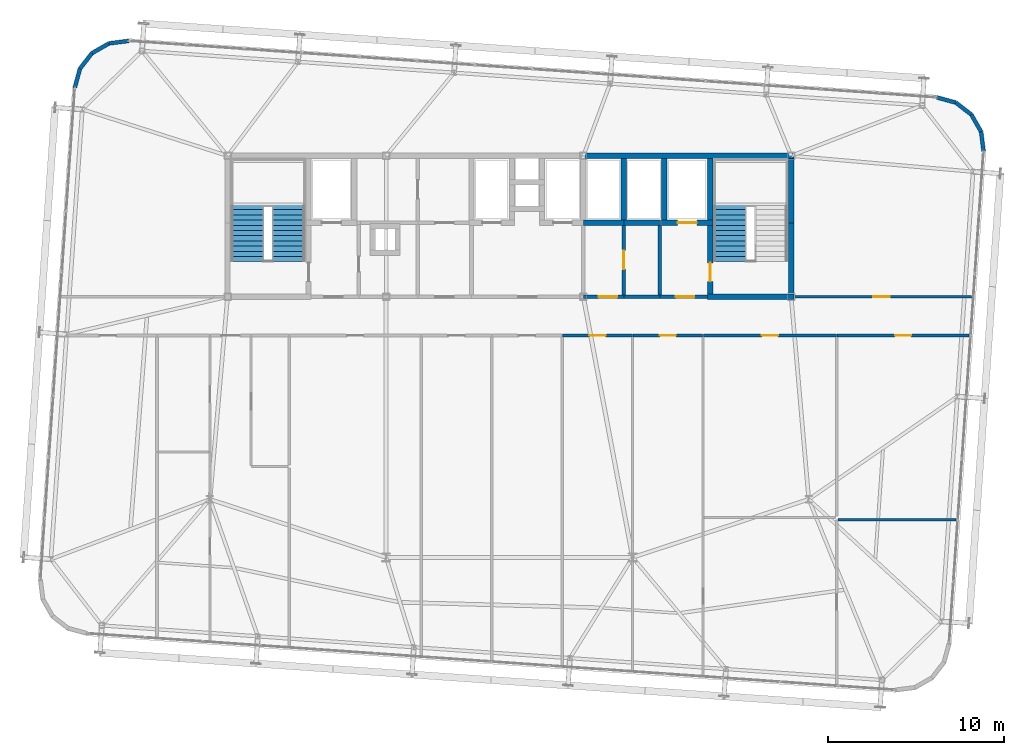
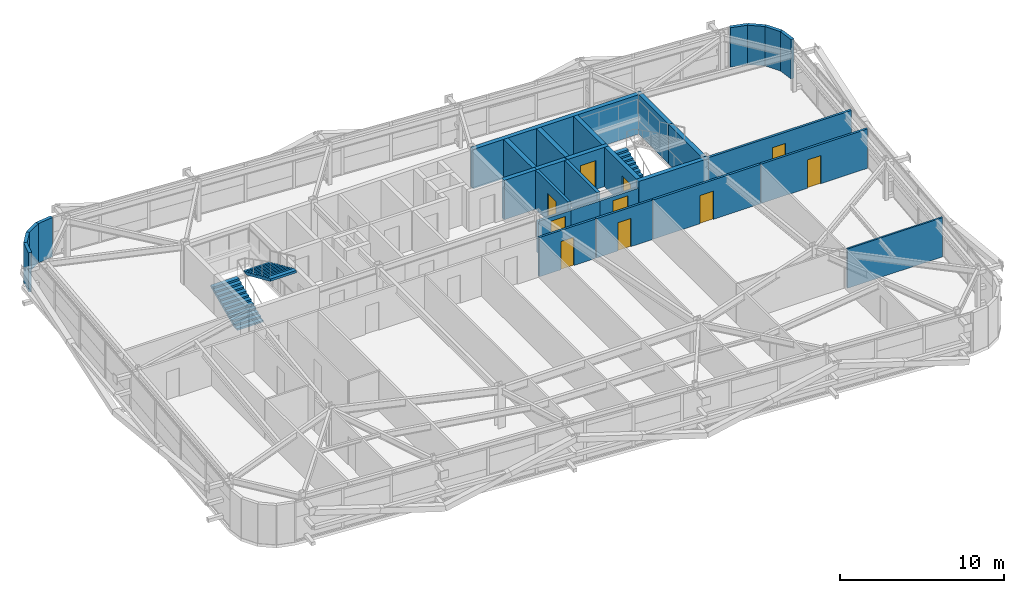
# One storey, part 43 of 47: 30 walls, 10 doors, 3 stair flights, 10 openings, 2 elements without a shape of their own.
"""IFC4 building model written with IfcOpenShell, lengths in metres."""

from ifc_helpers import new_model, si_unit, direction, frame, frame_2d, origin, place, context, subcontext, project, spatial, polyline, rectangle, outline, extrude, source, transform, mapped, material, layer, layer_set, type_object, element, fill, aggregate, save


model = new_model("IFC4")

# Units and contexts
model_context = context("Model", 3, precision=1e-05, world=origin(), true_north=direction((0.0, 1.0)))
body_context = subcontext(model_context, "Body", "Model", "MODEL_VIEW")
ifc_project = project(units=[si_unit("LENGTHUNIT", "METRE"), si_unit("AREAUNIT", "SQUARE_METRE"), si_unit("VOLUMEUNIT", "CUBIC_METRE"), si_unit("PLANEANGLEUNIT", "RADIAN"), si_unit("MASSUNIT", "GRAM", prefix="KILO")], contexts=[model_context])

# Site, building, storey
site_placement = place(None, origin())
site = spatial("IfcSite", under=ifc_project, at=site_placement, CompositionType="ELEMENT")
building_placement = place(site_placement, origin())
building = spatial("IfcBuilding", under=site, at=building_placement, Name="Taldren Reach Tower", CompositionType="ELEMENT")
storey_placement = place(building_placement, frame((0.0, 0.0, 142.449951171875)))
storey = spatial("IfcBuildingStorey", under=building, at=storey_placement, Name="L43", CompositionType="ELEMENT", Elevation=142.449951171875)

# Walls
ifc_material_1 = material(Name="Pale Champagne Anodised Aluminium Cladding", Category="aluminium")
ifc_layer_1 = layer(ifc_material_1, 0.04, Name="Pale Champagne Anodised Aluminium Cladding", Category="aluminium")
ifc_material_2 = material(Name="Mineral Wool Acoustic Insulation", Category="insulation")
ifc_layer_2 = layer(ifc_material_2, 0.06, Name="Mineral Wool Acoustic Insulation", Category="insulation")
ifc_material_3 = material(Name="Steel Gr 350 (C350L0)", Category="steel")
ifc_layer_3 = layer(ifc_material_3, 0.12, Name="Steel Gr 350 (C350L0)", Category="steel")
ifc_layer_set_1 = layer_set([ifc_layer_1, ifc_layer_2, ifc_layer_3], Name="Pale Champagne Aluminium Cladding and Steel Gr 350 Stud Framing")
wall_type_1 = type_object("IfcWallType", Name="EW-CRN-220", PredefinedType="SOLIDWALL", material=ifc_layer_set_1)
shared_shape_1 = source(origin(), body_context, "Body", "SweptSolid", [
    extrude(rectangle(XDim=1.115966796875, YDim=0.219970703125, at=frame_2d((0.55810546875, 0.0))), origin(), (0.0, 0.0, 1.0), 2.929931640625),
])
for number, where, z_axis, x_axis, name in (
    (1, (61.923583984375, 32.261962890625, 0.0), (0.0, 0.0, 1.0), (-0.126242535829, 0.991999406324, 0.0), "Rounded-corner pale-metal facade wall L43-NE1"),
    (2, (61.78271484375, 33.368896484375, 0.0), (0.0, 0.0, 1.0), (-0.496138938357, 0.868243142124, 0.0), "Rounded-corner pale-metal facade wall L43-NE2"),
    (3, (61.22900390625, 34.337890625, 0.0), (0.0, 0.0, 1.0), (-0.790716874741, 0.612182018684, 0.0), "Rounded-corner pale-metal facade wall L43-NE3"),
    (4, (60.3466796875, 35.02099609375, 0.0), (0.0, 0.0, 1.0), (-0.964804199372, 0.262969307856, 0.0), "Rounded-corner pale-metal facade wall L43-NE4"),
    (5, (13.382080078125, 38.5234375, 0.0), (0.0, 0.0, 1.0), (-0.991999406324, -0.126242535829, 0.0), "Rounded-corner pale-metal facade wall L43-NW1"),
    (6, (11.306396484375, 37.828857421875, 0.0), (0.0, 0.0, 1.0), (-0.612318787668, -0.790610967714, 0.0), "Rounded-corner pale-metal facade wall L43-NW3"),
    (7, (10.623046875, 36.946533203125, 0.0), (0.0, 0.0, 1.0), (-0.262969307856, -0.964804199372, 0.0), "Rounded-corner pale-metal facade wall L43-NW4"),
):
    element("IfcWall", number, at=place(storey_placement, frame(where, z_axis=z_axis, x_axis=x_axis)), inside=storey, type_object=wall_type_1, Name=name, PredefinedType="SOLIDWALL", context=body_context, shape_type="MappedRepresentation", body=[
        mapped(shared_shape_1, transform((0.0, 0.0, 0.0), scale=1.0)),
    ])
shared_shape_2 = source(origin(), body_context, "Body", "SweptSolid", [
    extrude(rectangle(XDim=1.11572265625, YDim=0.219970703125, at=frame_2d((0.557861328125, 0.0))), origin(), (0.0, 0.0, 1.0), 2.929931640625),
])
wall_1_placement = place(storey_placement, frame((12.275146484375, 38.382568359375, 0.0), z_axis=(0.0, 0.0, 1.0), x_axis=(-0.868189279113, -0.496233186751, 0.0)))
element("IfcWall", 8, at=wall_1_placement, inside=storey, type_object=wall_type_1, Name="Rounded-corner pale-metal facade wall L43-NW2", PredefinedType="SOLIDWALL", context=body_context, shape_type="MappedRepresentation", body=[
    mapped(shared_shape_2, transform((0.0, 0.0, 0.0), scale=1.0)),
])

# Wall, opening, door
ifc_material_4 = material(Name="Fire-Rated Acoustic Plasterboard Stud Wall", Category="gypsum")
ifc_layer_4 = layer(ifc_material_4, 0.159912109375)
ifc_layer_set_2 = layer_set([ifc_layer_4], Name="Fire-Rated Acoustic Plasterboard Stud Wall")
wall_type_2 = type_object("IfcWallType", Name="IW-FIRE-160", PredefinedType="PARTITIONING", material=ifc_layer_set_2)
shared_shape_3 = source(origin(), body_context, "Body", "SweptSolid", [
    extrude(rectangle(XDim=3.95947265625, YDim=0.159912109375, at=frame_2d((1.979736328125, 0.0))), origin(), (0.0, 0.0, 1.0), 2.929931640625),
])
wall_2_placement = place(storey_placement, frame((41.979736328125, 21.800048828125, 0.0), z_axis=(0.0, 0.0, 1.0), x_axis=(-1.0, 0.0, 0.0)))
wall_2 = element("IfcWall", 9, at=wall_2_placement, inside=storey, type_object=wall_type_2, Name="Interior Partition Wall W-INT-L43-053", PredefinedType="PARTITIONING", context=body_context, shape_type="MappedRepresentation", body=[
    mapped(shared_shape_3, transform((0.0, 0.0, 0.0), scale=1.0)),
])
shared_shape_4 = source(origin(), body_context, "Body", "SweptSolid", [
    extrude(rectangle(XDim=0.919921875, YDim=2.10009765625, at=frame_2d((0.4599609375, 1.050048828125))), frame((0.0, 0.08984375, 0.0), z_axis=(0.0, -1.0, 0.0), x_axis=(1.0, 0.0, 0.0)), (0.0, 0.0, 1.0), 0.179931640625),
])
opening_1_placement = place(wall_2_placement, frame((1.519775390625, 0.0, 0.0)))
opening_1 = element("IfcOpeningElement", 10, at=opening_1_placement, cuts=wall_2, Name="Opening DI-092", PredefinedType="OPENING", context=body_context, shape_type="MappedRepresentation", body=[
    mapped(shared_shape_4, transform((0.0, 0.0, 0.0), scale=1.0)),
])
ifc_material_5 = material(Name="Solid-Core Timber Suite Door", Category="wood")
door_type_1 = type_object("IfcDoorType", Name="ID-INT-092", OperationType="NOTDEFINED", PredefinedType="DOOR", material=ifc_material_5)
shared_shape_5 = source(origin(), body_context, "Body", "SweptSolid", [
    extrude(rectangle(XDim=0.919921875, YDim=2.10009765625, at=frame_2d((0.4599609375, 1.050048828125))), frame((0.0, 0.02490234375, 0.0), z_axis=(0.0, -1.0, 0.0), x_axis=(1.0, 0.0, 0.0)), (0.0, 0.0, 1.0), 0.050048828125),
])
door_1_placement = place(opening_1_placement, origin())
door_1 = element("IfcDoor", 11, at=door_1_placement, inside=storey, type_object=door_type_1, Name="Interior Door DR-L43-016", OperationType="SINGLE_SWING_LEFT", OverallHeight=2.10009765625, OverallWidth=0.919921875, PredefinedType="DOOR", context=body_context, shape_type="MappedRepresentation", body=[
    mapped(shared_shape_5, transform((0.0, 0.0, 0.0), scale=1.0)),
])
fill(opening_1, door_1)

wall_3_placement = place(storey_placement, frame((45.979736328125, 21.800048828125, 0.0), z_axis=(0.0, 0.0, 1.0), x_axis=(-1.0, 0.0, 0.0)))
wall_3 = element("IfcWall", 12, at=wall_3_placement, inside=storey, type_object=wall_type_2, Name="Interior Partition Wall W-INT-L43-054", PredefinedType="PARTITIONING", context=body_context, shape_type="MappedRepresentation", body=[
    mapped(shared_shape_3, transform((0.0, 0.0, 0.0), scale=1.0)),
])
opening_2_placement = place(wall_3_placement, frame((1.519775390625, 0.0, 0.0)))
opening_2 = element("IfcOpeningElement", 13, at=opening_2_placement, cuts=wall_3, Name="Opening DI-092", PredefinedType="OPENING", context=body_context, shape_type="MappedRepresentation", body=[
    mapped(shared_shape_4, transform((0.0, 0.0, 0.0), scale=1.0)),
])
door_2_placement = place(opening_2_placement, origin())
door_2 = element("IfcDoor", 14, at=door_2_placement, inside=storey, type_object=door_type_1, Name="Interior Door DR-L43-017", OperationType="SINGLE_SWING_RIGHT", OverallHeight=2.10009765625, OverallWidth=0.919921875, PredefinedType="DOOR", context=body_context, shape_type="MappedRepresentation", body=[
    mapped(shared_shape_5, transform((0.0, 0.0, 0.0), scale=1.0)),
])
fill(opening_2, door_2)

ifc_material_6 = material(Name="Concrete S50 (50 MPa)", Category="concrete")
ifc_layer_5 = layer(ifc_material_6, 0.199951171875)
ifc_layer_set_3 = layer_set([ifc_layer_5], Name="Concrete S50 (50 MPa)")
wall_type_3 = type_object("IfcWallType", Name="IW-CORE-200", PredefinedType="SOLIDWALL", material=ifc_layer_set_3)
shared_shape_6 = source(origin(), body_context, "Body", "SweptSolid", [
    extrude(rectangle(XDim=2.300048828125, YDim=0.199951171875, at=frame_2d((1.14990234375, 0.0))), origin(), (0.0, 0.0, 1.0), 2.39697265625),
])
wall_4_placement = place(storey_placement, frame((41.5, 24.0, 0.0), z_axis=(0.0, 0.0, 1.0), x_axis=(-1.0, 0.0, 0.0)))
wall_4 = element("IfcWall", 15, at=wall_4_placement, inside=storey, type_object=wall_type_3, Name="Rear Core Shear Wall W-INT-L43-044", PredefinedType="SOLIDWALL", context=body_context, shape_type="MappedRepresentation", body=[
    mapped(shared_shape_6, transform((0.0, 0.0, 0.0), scale=1.0)),
])
shared_shape_7 = source(origin(), body_context, "Body", "SweptSolid", [
    extrude(rectangle(XDim=1.050048828125, YDim=2.10009765625, at=frame_2d((0.52490234375, 1.050048828125))), frame((0.0, 0.10986328125, 0.0), z_axis=(0.0, -1.0, 0.0), x_axis=(1.0, 0.0, 0.0)), (0.0, 0.0, 1.0), 0.219970703125),
])
opening_3_placement = place(wall_4_placement, frame((0.375, 0.0, 0.0)))
opening_3 = element("IfcOpeningElement", 16, at=opening_3_placement, cuts=wall_4, Name="Opening DF-105", PredefinedType="OPENING", context=body_context, shape_type="MappedRepresentation", body=[
    mapped(shared_shape_7, transform((0.0, 0.0, 0.0), scale=1.0)),
])
ifc_material_7 = material(Name="Fire-Rated Care and Stair Exit Door")
door_type_2 = type_object("IfcDoorType", Name="ID-FIRE-105", OperationType="NOTDEFINED", PredefinedType="DOOR", material=ifc_material_7)
shared_shape_8 = source(origin(), body_context, "Body", "SweptSolid", [
    extrude(rectangle(XDim=1.050048828125, YDim=2.10009765625, at=frame_2d((0.52490234375, 1.050048828125))), frame((0.0, 0.02490234375, 0.0), z_axis=(0.0, -1.0, 0.0), x_axis=(1.0, 0.0, 0.0)), (0.0, 0.0, 1.0), 0.050048828125),
])
door_3_placement = place(opening_3_placement, frame((1.050048828125, 0.0, 0.0), z_axis=(0.0, 0.0, 1.0), x_axis=(-1.0, 0.0, 0.0)))
door_3 = element("IfcDoor", 17, at=door_3_placement, inside=storey, type_object=door_type_2, Name="Interior Door DR-L43-010", OperationType="SINGLE_SWING_RIGHT", OverallHeight=2.10009765625, OverallWidth=1.050048828125, PredefinedType="DOOR", context=body_context, shape_type="MappedRepresentation", body=[
    mapped(shared_shape_8, transform((0.0, 0.0, 0.0), scale=1.0)),
])
fill(opening_3, door_3)

# Walls
shared_shape_9 = source(origin(), body_context, "Body", "SweptSolid", [
    extrude(rectangle(XDim=2.050048828125, YDim=0.199951171875, at=frame_2d((1.02490234375, 0.0))), origin(), (0.0, 0.0, 1.0), 2.39697265625),
])
wall_5_placement = place(storey_placement, frame((43.550048828125, 24.0, 0.0), z_axis=(0.0, 0.0, 1.0), x_axis=(-1.0, 0.0, 0.0)))
element("IfcWall", 18, at=wall_5_placement, inside=storey, type_object=wall_type_3, Name="Rear Core Shear Wall W-INT-L43-045", PredefinedType="SOLIDWALL", context=body_context, shape_type="MappedRepresentation", body=[
    mapped(shared_shape_9, transform((0.0, 0.0, 0.0), scale=1.0)),
])
ifc_material_8 = material(Name="Concrete S65 (65 MPa)", Category="concrete")
ifc_layer_6 = layer(ifc_material_8, 0.300048828125)
ifc_layer_set_4 = layer_set([ifc_layer_6], Name="Concrete S65 (65 MPa)")
wall_type_4 = type_object("IfcWallType", Name="IW-CORE-300", PredefinedType="SHEAR", material=ifc_layer_set_4)
shared_shape_10 = source(origin(), body_context, "Body", "SweptSolid", [
    extrude(rectangle(XDim=11.949951171875, YDim=0.300048828125, at=frame_2d((5.97509765625, 0.0))), origin(), (0.0, 0.0, 1.0), 2.929931640625),
])
wall_6_placement = place(storey_placement, frame((39.199951171875, 32.0, 0.0), z_axis=(0.0, 0.0, 1.0), x_axis=(1.0, 0.0, 0.0)))
element("IfcWall", 19, at=wall_6_placement, inside=storey, type_object=wall_type_4, Name="Rear Core Shear Wall W-CORE-L43-NORTH3", PredefinedType="SHEAR", context=body_context, shape_type="MappedRepresentation", body=[
    mapped(shared_shape_10, transform((0.0, 0.0, 0.0), scale=1.0)),
])
shared_shape_11 = source(origin(), body_context, "Body", "SweptSolid", [
    extrude(rectangle(XDim=4.050048828125, YDim=0.300048828125, at=frame_2d((2.02490234375, 0.0))), origin(), (0.0, 0.0, 1.0), 2.929931640625),
])
wall_7_placement = place(storey_placement, frame((51.0, 24.14990234375, 0.0), z_axis=(0.0, 0.0, 1.0), x_axis=(0.0, 1.0, 0.0)))
element("IfcWall", 20, at=wall_7_placement, inside=storey, type_object=wall_type_4, Name="Rear Core Shear Wall W-CORE-L43-EAST1", PredefinedType="SHEAR", context=body_context, shape_type="MappedRepresentation", body=[
    mapped(shared_shape_11, transform((0.0, 0.0, 0.0), scale=1.0)),
])
shared_shape_12 = source(origin(), body_context, "Body", "SweptSolid", [
    extrude(rectangle(XDim=3.650146484375, YDim=0.300048828125, at=frame_2d((1.8251953125, 0.0))), origin(), (0.0, 0.0, 1.0), 2.929931640625),
])
wall_8_placement = place(storey_placement, frame((51.0, 28.199951171875, 0.0), z_axis=(0.0, 0.0, 1.0), x_axis=(0.0, 1.0, 0.0)))
element("IfcWall", 21, at=wall_8_placement, inside=storey, type_object=wall_type_4, Name="Rear Core Shear Wall W-CORE-L43-EAST2", PredefinedType="SHEAR", context=body_context, shape_type="MappedRepresentation", body=[
    mapped(shared_shape_12, transform((0.0, 0.0, 0.0), scale=1.0)),
])
shared_shape_13 = source(origin(), body_context, "Body", "SweptSolid", [
    extrude(rectangle(XDim=3.5, YDim=0.300048828125, at=frame_2d((1.75, 0.0))), origin(), (0.0, 0.0, 1.0), 2.929931640625),
])
for number, where, z_axis, x_axis, name in (
    (22, (46.39990234375, 31.85009765625, 0.0), (0.0, 0.0, 1.0), (0.0, -1.0, 0.0), "Rear Core Shear Wall W-INT-L43-008"),
    (23, (43.800048828125, 31.85009765625, 0.0), (0.0, 0.0, 1.0), (0.0, -1.0, 0.0), "Rear Core Shear Wall W-INT-L43-012"),
    (24, (41.5, 28.35009765625, 0.0), (0.0, 0.0, 1.0), (0.0, 1.0, 0.0), "Rear Core Shear Wall W-INT-L43-034"),
):
    element("IfcWall", number, at=place(storey_placement, frame(where, z_axis=z_axis, x_axis=x_axis)), inside=storey, type_object=wall_type_4, Name=name, PredefinedType="SHEAR", context=body_context, shape_type="MappedRepresentation", body=[
        mapped(shared_shape_13, transform((0.0, 0.0, 0.0), scale=1.0)),
    ])

# Wall, opening, door
shared_shape_14 = source(origin(), body_context, "Body", "SweptSolid", [
    extrude(rectangle(XDim=3.900146484375, YDim=0.300048828125, at=frame_2d((1.9501953125, 0.0))), origin(), (0.0, 0.0, 1.0), 2.929931640625),
])
wall_9_placement = place(storey_placement, frame((46.39990234375, 28.050048828125, 0.0), z_axis=(0.0, 0.0, 1.0), x_axis=(0.0, -1.0, 0.0)))
wall_9 = element("IfcWall", 25, at=wall_9_placement, inside=storey, type_object=wall_type_4, Name="Rear Core Shear Wall W-INT-L43-009", PredefinedType="SHEAR", context=body_context, shape_type="MappedRepresentation", body=[
    mapped(shared_shape_14, transform((0.0, 0.0, 0.0), scale=1.0)),
])
shared_shape_15 = source(origin(), body_context, "Body", "SweptSolid", [
    extrude(rectangle(XDim=1.050048828125, YDim=2.10009765625, at=frame_2d((0.52490234375, 1.050048828125))), frame((0.0, 0.16015625, 0.0), z_axis=(0.0, -1.0, 0.0), x_axis=(1.0, 0.0, 0.0)), (0.0, 0.0, 1.0), 0.320068359375),
])
opening_4_placement = place(wall_9_placement, frame((2.125, 0.0, 0.0)))
opening_4 = element("IfcOpeningElement", 26, at=opening_4_placement, cuts=wall_9, Name="Opening DF-105", PredefinedType="OPENING", context=body_context, shape_type="MappedRepresentation", body=[
    mapped(shared_shape_15, transform((0.0, 0.0, 0.0), scale=1.0)),
])
door_4_placement = place(opening_4_placement, origin())
door_4 = element("IfcDoor", 27, at=door_4_placement, inside=storey, type_object=door_type_2, Name="Fire Exit Stair Door DR-L43-003", OperationType="SINGLE_SWING_RIGHT", OverallHeight=2.10009765625, OverallWidth=1.050048828125, PredefinedType="DOOR", context=body_context, shape_type="MappedRepresentation", body=[
    mapped(shared_shape_8, transform((0.0, 0.0, 0.0), scale=1.0)),
])
fill(opening_4, door_4)

# Wall
shared_shape_16 = source(origin(), body_context, "Body", "SweptSolid", [
    extrude(rectangle(XDim=4.89990234375, YDim=0.300048828125, at=frame_2d((2.449951171875, 0.0))), origin(), (0.0, 0.0, 1.0), 2.929931640625),
])
wall_10_placement = place(storey_placement, frame((46.25, 24.0, 0.0), z_axis=(0.0, 0.0, 1.0), x_axis=(1.0, 0.0, 0.0)))
element("IfcWall", 28, at=wall_10_placement, inside=storey, type_object=wall_type_4, Name="Rear Core Shear Wall W-INT-L43-010", PredefinedType="SHEAR", context=body_context, shape_type="MappedRepresentation", body=[
    mapped(shared_shape_16, transform((0.0, 0.0, 0.0), scale=1.0)),
])

# Wall, opening, door
shared_shape_17 = source(origin(), body_context, "Body", "SweptSolid", [
    extrude(rectangle(XDim=2.900146484375, YDim=0.300048828125, at=frame_2d((1.4501953125, 0.0))), origin(), (0.0, 0.0, 1.0), 2.929931640625),
])
wall_11_placement = place(storey_placement, frame((43.64990234375, 28.199951171875, 0.0), z_axis=(0.0, 0.0, 1.0), x_axis=(1.0, 0.0, 0.0)))
wall_11 = element("IfcWall", 29, at=wall_11_placement, inside=storey, type_object=wall_type_4, Name="Rear Core Shear Wall W-INT-L43-011", PredefinedType="SHEAR", context=body_context, shape_type="MappedRepresentation", body=[
    mapped(shared_shape_17, transform((0.0, 0.0, 0.0), scale=1.0)),
])
shared_shape_18 = source(origin(), body_context, "Body", "SweptSolid", [
    extrude(rectangle(XDim=1.10009765625, YDim=2.14990234375, at=frame_2d((0.550048828125, 1.074951171875))), frame((0.0, 0.16015625, 0.0), z_axis=(0.0, -1.0, 0.0), x_axis=(1.0, 0.0, 0.0)), (0.0, 0.0, 1.0), 0.320068359375),
])
opening_5_placement = place(wall_11_placement, frame((0.89990234375, 0.0, 0.0)))
opening_5 = element("IfcOpeningElement", 30, at=opening_5_placement, cuts=wall_11, Name="Opening LD-FL2", PredefinedType="OPENING", context=body_context, shape_type="MappedRepresentation", body=[
    mapped(shared_shape_18, transform((0.0, 0.0, 0.0), scale=1.0)),
])
ifc_material_9 = material(Name="Stainless Steel Gr 316 Emergency Lift Landing Door", Category="steel")
door_type_3 = type_object("IfcDoorType", Name="LD-EMG-110", OperationType="SLIDING_TO_LEFT", PredefinedType="DOOR", material=ifc_material_9)
shared_shape_19 = source(origin(), body_context, "Body", "SweptSolid", [
    extrude(rectangle(XDim=1.10009765625, YDim=2.14990234375, at=frame_2d((0.550048828125, 1.074951171875))), frame((0.0, 0.02490234375, 0.0), z_axis=(0.0, -1.0, 0.0), x_axis=(1.0, 0.0, 0.0)), (0.0, 0.0, 1.0), 0.050048828125),
])
door_5_placement = place(opening_5_placement, origin())
door_5 = element("IfcDoor", 31, at=door_5_placement, inside=storey, type_object=door_type_3, Name="Lift Landing Door LD-FL2-L43", OperationType="SLIDING_TO_LEFT", OverallHeight=2.14990234375, OverallWidth=1.10009765625, PredefinedType="DOOR", context=body_context, shape_type="MappedRepresentation", body=[
    mapped(shared_shape_19, transform((0.0, 0.0, 0.0), scale=1.0)),
])
fill(opening_5, door_5)

# Wall
shared_shape_20 = source(origin(), body_context, "Body", "SweptSolid", [
    extrude(rectangle(XDim=3.949951171875, YDim=0.199951171875, at=frame_2d((1.97509765625, 0.0))), origin(), (0.0, 0.0, 1.0), 2.929931640625),
])
wall_12_placement = place(storey_placement, frame((43.550048828125, 28.050048828125, 0.0), z_axis=(0.0, 0.0, 1.0), x_axis=(0.0, -1.0, 0.0)))
element("IfcWall", 32, at=wall_12_placement, inside=storey, type_object=wall_type_3, Name="Rear Core Shear Wall W-INT-L43-013", PredefinedType="SOLIDWALL", context=body_context, shape_type="MappedRepresentation", body=[
    mapped(shared_shape_20, transform((0.0, 0.0, 0.0), scale=1.0)),
])

# Wall, opening, door
wall_13_placement = place(storey_placement, frame((41.5, 28.050048828125, 0.0), z_axis=(0.0, 0.0, 1.0), x_axis=(0.0, -1.0, 0.0)))
wall_13 = element("IfcWall", 33, at=wall_13_placement, inside=storey, type_object=wall_type_3, Name="Rear Core Shear Wall W-INT-L43-043", PredefinedType="SOLIDWALL", context=body_context, shape_type="MappedRepresentation", body=[
    mapped(shared_shape_20, transform((0.0, 0.0, 0.0), scale=1.0)),
])
opening_6_placement = place(wall_13_placement, frame((1.425048828125, 0.0, 0.0)))
opening_6 = element("IfcOpeningElement", 34, at=opening_6_placement, cuts=wall_13, Name="Opening DF-105", PredefinedType="OPENING", context=body_context, shape_type="MappedRepresentation", body=[
    mapped(shared_shape_7, transform((0.0, 0.0, 0.0), scale=1.0)),
])
door_6_placement = place(opening_6_placement, frame((1.050048828125, 0.0, 0.0), z_axis=(0.0, 0.0, 1.0), x_axis=(-1.0, 0.0, 0.0)))
door_6 = element("IfcDoor", 35, at=door_6_placement, inside=storey, type_object=door_type_2, Name="Interior Door DR-L43-009", OperationType="SINGLE_SWING_LEFT", OverallHeight=2.10009765625, OverallWidth=1.050048828125, PredefinedType="DOOR", context=body_context, shape_type="MappedRepresentation", body=[
    mapped(shared_shape_8, transform((0.0, 0.0, 0.0), scale=1.0)),
])
fill(opening_6, door_6)

shared_shape_21 = source(origin(), body_context, "Body", "SweptSolid", [
    extrude(rectangle(XDim=2.699951171875, YDim=0.199951171875, at=frame_2d((1.35009765625, 0.0))), origin(), (0.0, 0.0, 1.0), 2.39697265625),
])
wall_14_placement = place(storey_placement, frame((43.550048828125, 24.0, 0.0), z_axis=(0.0, 0.0, 1.0), x_axis=(1.0, 0.0, 0.0)))
wall_14 = element("IfcWall", 36, at=wall_14_placement, inside=storey, type_object=wall_type_3, Name="Rear Core Shear Wall W-INT-L43-014", PredefinedType="SOLIDWALL", context=body_context, shape_type="MappedRepresentation", body=[
    mapped(shared_shape_21, transform((0.0, 0.0, 0.0), scale=1.0)),
])
opening_7_placement = place(wall_14_placement, frame((0.89990234375, 0.0, 0.0)))
opening_7 = element("IfcOpeningElement", 37, at=opening_7_placement, cuts=wall_14, Name="Opening DF-105", PredefinedType="OPENING", context=body_context, shape_type="MappedRepresentation", body=[
    mapped(shared_shape_7, transform((0.0, 0.0, 0.0), scale=1.0)),
])
door_7_placement = place(opening_7_placement, origin())
door_7 = element("IfcDoor", 38, at=door_7_placement, inside=storey, type_object=door_type_2, Name="Interior Door DR-L43-004", OperationType="SINGLE_SWING_LEFT", OverallHeight=2.10009765625, OverallWidth=1.050048828125, PredefinedType="DOOR", context=body_context, shape_type="MappedRepresentation", body=[
    mapped(shared_shape_8, transform((0.0, 0.0, 0.0), scale=1.0)),
])
fill(opening_7, door_7)

# Walls
shared_shape_22 = source(origin(), body_context, "Body", "SweptSolid", [
    extrude(rectangle(XDim=2.070068359375, YDim=0.300048828125, at=frame_2d((1.03515625, 0.0))), origin(), (0.0, 0.0, 1.0), 2.929931640625),
])
wall_15_placement = place(storey_placement, frame((41.5, 28.199951171875, 0.0), z_axis=(0.0, 0.0, 1.0), x_axis=(1.0, 0.0, 0.0)))
element("IfcWall", 39, at=wall_15_placement, inside=storey, type_object=wall_type_4, Name="Rear Core Shear Wall W-INT-L43-036", PredefinedType="SHEAR", context=body_context, shape_type="MappedRepresentation", body=[
    mapped(shared_shape_22, transform((0.0, 0.0, 0.0), scale=1.0)),
])
shared_shape_23 = source(origin(), body_context, "Body", "SweptSolid", [
    extrude(rectangle(XDim=2.300048828125, YDim=0.300048828125, at=frame_2d((1.14990234375, 0.0))), origin(), (0.0, 0.0, 1.0), 2.929931640625),
])
wall_16_placement = place(storey_placement, frame((39.199951171875, 28.199951171875, 0.0), z_axis=(0.0, 0.0, 1.0), x_axis=(1.0, 0.0, 0.0)))
element("IfcWall", 40, at=wall_16_placement, inside=storey, type_object=wall_type_4, Name="Rear Core Shear Wall W-INT-L43-035", PredefinedType="SHEAR", context=body_context, shape_type="MappedRepresentation", body=[
    mapped(shared_shape_23, transform((0.0, 0.0, 0.0), scale=1.0)),
])

# Wall, opening, door
shared_shape_24 = source(origin(), body_context, "Body", "SweptSolid", [
    extrude(rectangle(XDim=10.10009765625, YDim=0.159912109375, at=frame_2d((5.050048828125, 0.0))), origin(), (0.0, 0.0, 1.0), 2.929931640625),
])
wall_17_placement = place(storey_placement, frame((51.14990234375, 24.0, 0.0), z_axis=(0.0, 0.0, 1.0), x_axis=(1.0, 0.0, 0.0)))
wall_17 = element("IfcWall", 41, at=wall_17_placement, inside=storey, type_object=wall_type_2, Name="Interior Partition Wall W-INT-L43-057", PredefinedType="PARTITIONING", context=body_context, shape_type="MappedRepresentation", body=[
    mapped(shared_shape_24, transform((0.0, 0.0, 0.0), scale=1.0)),
])
opening_8_placement = place(wall_17_placement, frame((4.525146484375, 0.0, 0.0)))
opening_8 = element("IfcOpeningElement", 42, at=opening_8_placement, cuts=wall_17, Name="Opening DI-092", PredefinedType="OPENING", context=body_context, shape_type="MappedRepresentation", body=[
    mapped(shared_shape_4, transform((0.0, 0.0, 0.0), scale=1.0)),
])
door_8_placement = place(opening_8_placement, origin())
door_8 = element("IfcDoor", 43, at=door_8_placement, inside=storey, type_object=door_type_1, Name="Interior Door DR-L43-020", OperationType="SINGLE_SWING_LEFT", OverallHeight=2.10009765625, OverallWidth=0.919921875, PredefinedType="DOOR", context=body_context, shape_type="MappedRepresentation", body=[
    mapped(shared_shape_5, transform((0.0, 0.0, 0.0), scale=1.0)),
])
fill(opening_8, door_8)

shared_shape_25 = source(origin(), body_context, "Body", "SweptSolid", [
    extrude(rectangle(XDim=7.546630859375, YDim=0.159912109375, at=frame_2d((3.7734375, 0.0))), origin(), (0.0, 0.0, 1.0), 2.929931640625),
])
wall_18_placement = place(storey_placement, frame((53.5673828125, 21.800048828125, 0.0), z_axis=(0.0, 0.0, 1.0), x_axis=(-1.0, 0.0, 0.0)))
wall_18 = element("IfcWall", 44, at=wall_18_placement, inside=storey, type_object=wall_type_2, Name="Interior Partition Wall W-INT-L43-055", PredefinedType="PARTITIONING", context=body_context, shape_type="MappedRepresentation", body=[
    mapped(shared_shape_25, transform((0.0, 0.0, 0.0), scale=1.0)),
])
opening_9_placement = place(wall_18_placement, frame((3.3134765625, 0.0, 0.0)))
opening_9 = element("IfcOpeningElement", 45, at=opening_9_placement, cuts=wall_18, Name="Opening DI-092", PredefinedType="OPENING", context=body_context, shape_type="MappedRepresentation", body=[
    mapped(shared_shape_4, transform((0.0, 0.0, 0.0), scale=1.0)),
])
door_9_placement = place(opening_9_placement, origin())
door_9 = element("IfcDoor", 46, at=door_9_placement, inside=storey, type_object=door_type_1, Name="Interior Door DR-L43-018", OperationType="SINGLE_SWING_LEFT", OverallHeight=2.10009765625, OverallWidth=0.919921875, PredefinedType="DOOR", context=body_context, shape_type="MappedRepresentation", body=[
    mapped(shared_shape_5, transform((0.0, 0.0, 0.0), scale=1.0)),
])
fill(opening_9, door_9)

shared_shape_26 = source(origin(), body_context, "Body", "SweptSolid", [
    extrude(rectangle(XDim=7.498779296875, YDim=0.159912109375, at=frame_2d((3.74951171875, 0.0))), origin(), (0.0, 0.0, 1.0), 2.929931640625),
])
wall_19_placement = place(storey_placement, frame((61.107421875, 21.800048828125, 0.0), z_axis=(0.0, 0.0, 1.0), x_axis=(-1.0, 0.0, 0.0)))
wall_19 = element("IfcWall", 47, at=wall_19_placement, inside=storey, type_object=wall_type_2, Name="Interior Partition Wall W-INT-L43-056", PredefinedType="PARTITIONING", context=body_context, shape_type="MappedRepresentation", body=[
    mapped(shared_shape_26, transform((0.0, 0.0, 0.0), scale=1.0)),
])
opening_10_placement = place(wall_19_placement, frame((3.289306640625, 0.0, 0.0)))
opening_10 = element("IfcOpeningElement", 48, at=opening_10_placement, cuts=wall_19, Name="Opening DI-092", PredefinedType="OPENING", context=body_context, shape_type="MappedRepresentation", body=[
    mapped(shared_shape_4, transform((0.0, 0.0, 0.0), scale=1.0)),
])
door_10_placement = place(opening_10_placement, origin())
door_10 = element("IfcDoor", 49, at=door_10_placement, inside=storey, type_object=door_type_1, Name="Interior Door DR-L43-019", OperationType="SINGLE_SWING_RIGHT", OverallHeight=2.10009765625, OverallWidth=0.919921875, PredefinedType="DOOR", context=body_context, shape_type="MappedRepresentation", body=[
    mapped(shared_shape_5, transform((0.0, 0.0, 0.0), scale=1.0)),
])
fill(opening_10, door_10)

# Wall
ifc_material_10 = material(Name="Insulated Residential Stud Partition", Category="gypsum")
ifc_layer_7 = layer(ifc_material_10, 0.1201171875)
ifc_layer_set_5 = layer_set([ifc_layer_7], Name="Insulated Residential Stud Partition")
wall_type_5 = type_object("IfcWallType", Name="IW-PART-120", PredefinedType="PARTITIONING", material=ifc_layer_set_5)
shared_shape_27 = source(origin(), body_context, "Body", "SweptSolid", [
    extrude(rectangle(XDim=6.69677734375, YDim=0.1201171875, at=frame_2d((3.348388671875, 0.0))), origin(), (0.0, 0.0, 1.0), 2.929931640625),
])
wall_20_placement = place(storey_placement, frame((53.668212890625, 11.341796875, 0.0), z_axis=(0.0, 0.0, 1.0), x_axis=(1.0, 0.0, 0.0)))
element("IfcWall", 50, at=wall_20_placement, inside=storey, type_object=wall_type_5, Name="Interior Partition Wall W-INT-L43-077", PredefinedType="PARTITIONING", context=body_context, shape_type="MappedRepresentation", body=[
    mapped(shared_shape_27, transform((0.0, 0.0, 0.0), scale=1.0)),
])

# Stair, stair flights
stair_type = type_object("IfcStairType", Name="ST-HT-315", PredefinedType="HALF_TURN_STAIR", material=ifc_material_6)
stair_1_placement = place(storey_placement, origin())
stair_1 = element("IfcStair", 51, at=stair_1_placement, inside=storey, type_object=stair_type, Name="Fire-isolated exit stair ST1 L43", PredefinedType="HALF_TURN_STAIR")
stair_flight_type = type_object("IfcStairFlightType", Name="SF-STR-315", PredefinedType="STRAIGHT", material=ifc_material_6)
stair_flight_1_placement = place(storey_placement, frame((20.139892578125, 25.989990234375, 0.0), z_axis=(0.0, 0.0, 1.0), x_axis=(0.0, 1.0, 0.0)))
stair_flight_1 = element("IfcStairFlight", 52, at=stair_flight_1_placement, type_object=stair_flight_type, Name="ST1 flight 1", NumberOfRisers=12, NumberOfTreads=11, PredefinedType="STRAIGHT", RiserHeight=0.13125, TreadLength=0.295, context=body_context, shape_type="SweptSolid", body=[
    extrude(outline(polyline([(0.0, 0.0), (0.0, 0.13134765625), (0.294921875, 0.13134765625), (0.294921875, 0.262451171875), (0.590087890625, 0.262451171875), (0.590087890625, 0.393798828125), (0.885009765625, 0.393798828125), (0.885009765625, 0.52490234375), (1.179931640625, 0.52490234375), (1.179931640625, 0.65625), (1.47509765625, 0.65625), (1.47509765625, 0.78759765625), (1.77001953125, 0.78759765625), (1.77001953125, 0.918701171875), (2.06494140625, 0.918701171875), (2.06494140625, 1.050048828125), (2.360107421875, 1.050048828125), (2.360107421875, 1.18115234375), (2.655029296875, 1.18115234375), (2.655029296875, 1.3125), (2.949951171875, 1.3125), (2.949951171875, 1.44384765625), (3.2451171875, 1.44384765625), (3.2451171875, 1.574951171875), (3.2451171875, 1.268798828125), (0.393310546875, 0.0), (0.0, 0.0)])), frame((0.0, 0.919921875, 0.0), z_axis=(0.0, -1.0, 0.0), x_axis=(1.0, 0.0, 0.0)), (0.0, 0.0, 1.0), 1.840087890625),
])
stair_flight_2_placement = place(storey_placement, frame((22.4599609375, 29.235107421875, 1.574951171875), z_axis=(0.0, 0.0, 1.0), x_axis=(0.0, -1.0, 0.0)))
stair_flight_2 = element("IfcStairFlight", 53, at=stair_flight_2_placement, type_object=stair_flight_type, Name="ST1 flight 2", NumberOfRisers=12, NumberOfTreads=11, PredefinedType="STRAIGHT", RiserHeight=0.13125, TreadLength=0.295, context=body_context, shape_type="SweptSolid", body=[
    extrude(outline(polyline([(0.0, 0.0), (0.0, 0.13134765625), (0.294921875, 0.13134765625), (0.294921875, 0.262451171875), (0.590087890625, 0.262451171875), (0.590087890625, 0.393798828125), (0.885009765625, 0.393798828125), (0.885009765625, 0.52490234375), (1.179931640625, 0.52490234375), (1.179931640625, 0.65625), (1.47509765625, 0.65625), (1.47509765625, 0.78759765625), (1.77001953125, 0.78759765625), (1.77001953125, 0.918701171875), (2.06494140625, 0.918701171875), (2.06494140625, 1.050048828125), (2.360107421875, 1.050048828125), (2.360107421875, 1.18115234375), (2.655029296875, 1.18115234375), (2.655029296875, 1.3125), (2.949951171875, 1.3125), (2.949951171875, 1.44384765625), (3.2451171875, 1.44384765625), (3.2451171875, 1.574951171875), (3.2451171875, 1.268798828125), (0.393310546875, 0.0), (0.0, 0.0)])), frame((0.0, 0.919921875, 0.0), z_axis=(0.0, -1.0, 0.0), x_axis=(1.0, 0.0, 0.0)), (0.0, 0.0, 1.0), 1.840087890625),
])
aggregate(stair_1, [stair_flight_1, stair_flight_2])

# Stair, stair flight
stair_2_placement = place(storey_placement, origin())
stair_2 = element("IfcStair", 54, at=stair_2_placement, inside=storey, type_object=stair_type, Name="Fire-isolated exit stair ST2 L43", PredefinedType="HALF_TURN_STAIR")
stair_flight_3_placement = place(storey_placement, frame((47.5400390625, 25.989990234375, 0.0), z_axis=(0.0, 0.0, 1.0), x_axis=(0.0, 1.0, 0.0)))
stair_flight_3 = element("IfcStairFlight", 55, at=stair_flight_3_placement, type_object=stair_flight_type, Name="ST2 flight 1", NumberOfRisers=12, NumberOfTreads=11, PredefinedType="STRAIGHT", RiserHeight=0.13125, TreadLength=0.295, context=body_context, shape_type="SweptSolid", body=[
    extrude(outline(polyline([(0.0, 0.0), (0.0, 0.13134765625), (0.294921875, 0.13134765625), (0.294921875, 0.262451171875), (0.590087890625, 0.262451171875), (0.590087890625, 0.393798828125), (0.885009765625, 0.393798828125), (0.885009765625, 0.52490234375), (1.179931640625, 0.52490234375), (1.179931640625, 0.65625), (1.47509765625, 0.65625), (1.47509765625, 0.78759765625), (1.77001953125, 0.78759765625), (1.77001953125, 0.918701171875), (2.06494140625, 0.918701171875), (2.06494140625, 1.050048828125), (2.360107421875, 1.050048828125), (2.360107421875, 1.18115234375), (2.655029296875, 1.18115234375), (2.655029296875, 1.3125), (2.949951171875, 1.3125), (2.949951171875, 1.44384765625), (3.2451171875, 1.44384765625), (3.2451171875, 1.574951171875), (3.2451171875, 1.268798828125), (0.393310546875, 0.0), (0.0, 0.0)])), frame((0.0, 0.919921875, 0.0), z_axis=(0.0, -1.0, 0.0), x_axis=(1.0, 0.0, 0.0)), (0.0, 0.0, 1.0), 1.840087890625),
])
aggregate(stair_2, [stair_flight_3])

save(model, "model.ifc")
